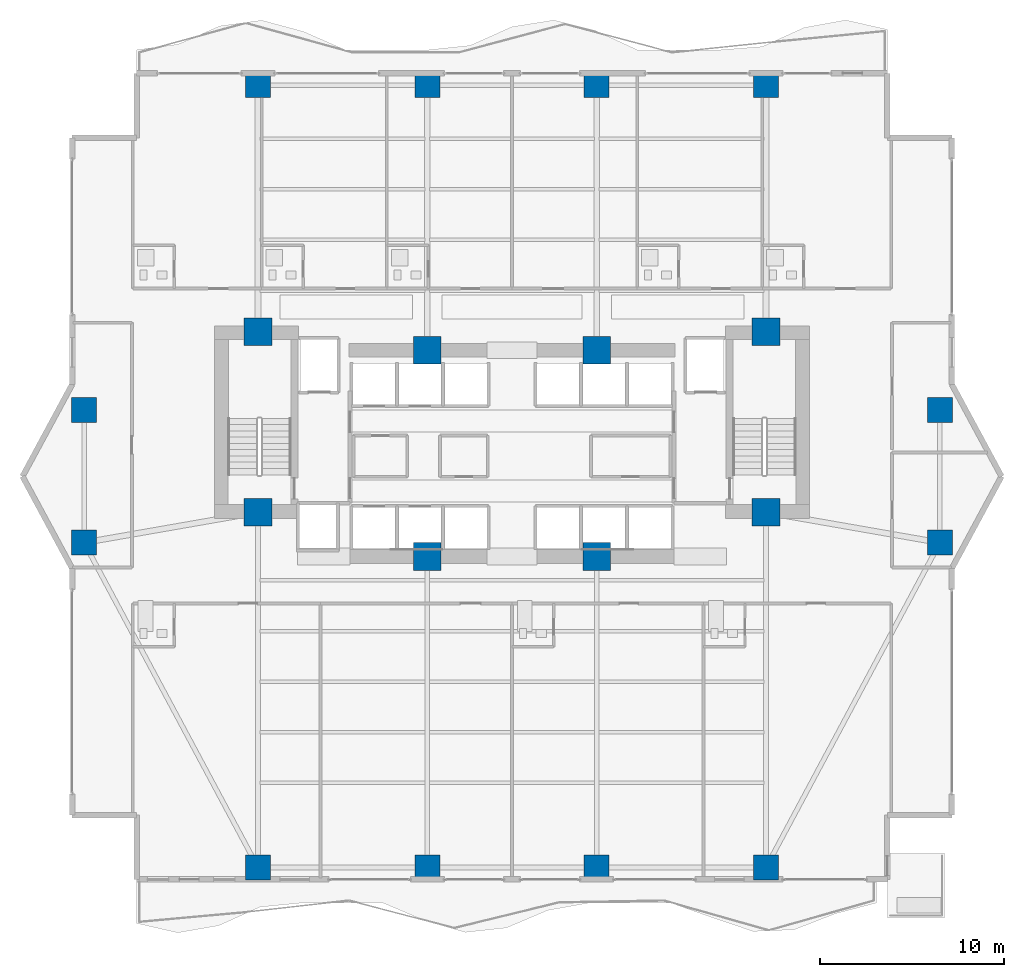
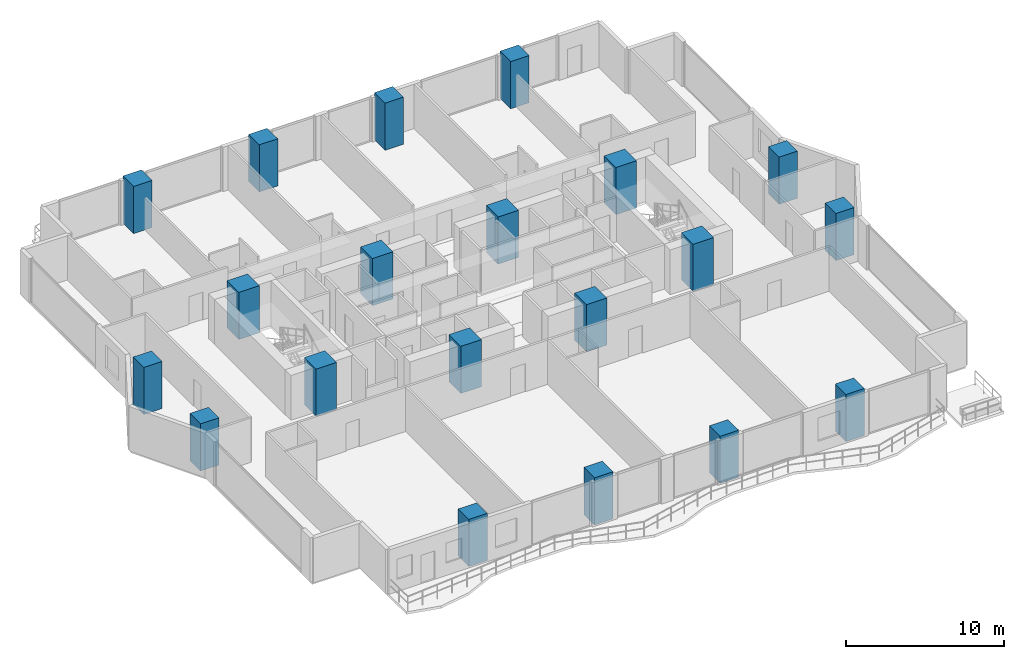
# One storey, part 1 of 29: 20 columns.
"""IFC4 building model written with IfcOpenShell, lengths in metres."""

import ifcopenshell
import ifcopenshell.guid

model = None  # the IFC model being written
_history = None  # IfcOwnerHistory: only IFC2X3 demands one
_inside = {}  # id of a spatial element -> (the spatial element, [elements in it])
_under = {}  # id of a project, library or spatial element -> (it, [spatial elements below it])
_declared = {}  # id of a project -> (the project, [libraries it declares])
_typed = {}  # id of a type object -> (the type object, [elements of that type])
_made_of = {}  # id of a material, layer set ... -> (it, [elements and type objects made of it])


def new_model(schema):
    """Start an empty IFC model of exactly this schema.

    Asked for "IFC4X3", IfcOpenShell would pick the latest addendum, in which some entities
    have other attributes; the version numbers below select the first issue.
    IFC2X3 requires an IfcOwnerHistory on every rooted entity: one is made here for all.
    """
    global model, _history
    if schema == "IFC4X3":
        model = ifcopenshell.file(schema_version=(4, 3, 0, 0))
    else:
        model = ifcopenshell.file(schema=schema)
    _inside.clear()
    _under.clear()
    _declared.clear()
    _typed.clear()
    _made_of.clear()
    _history = None
    if model.schema == "IFC2X3":
        org = make("IfcOrganization", Name="unknown")
        user = make(
            "IfcPersonAndOrganization",
            ThePerson=make("IfcPerson", FamilyName="unknown"),
            TheOrganization=org,
        )
        app = make(
            "IfcApplication",
            ApplicationDeveloper=org,
            Version="unknown",
            ApplicationFullName="unknown",
            ApplicationIdentifier="unknown",
        )
        _history = make(
            "IfcOwnerHistory",
            OwningUser=user,
            OwningApplication=app,
            ChangeAction="ADDED",
            CreationDate=0,
        )
    return model


def make(cls, **values):
    """One entity of the class cls with the attributes given. An attribute that is None is left unset."""
    return model.create_entity(
        cls, **{name: value for name, value in values.items() if value is not None}
    )


def rooted(cls, **values):
    """An entity with a GlobalId (a new one), such as an element, a storey or a relation."""
    return make(cls, GlobalId=ifcopenshell.guid.new(), OwnerHistory=_history, **values)


def si_unit(unit_type, name, prefix=None):
    """IfcSIUnit, for example si_unit("LENGTHUNIT", "METRE", prefix="MILLI")."""
    return make("IfcSIUnit", UnitType=unit_type, Prefix=prefix, Name=name)


def assignment(units):
    """IfcUnitAssignment: the units of a project."""
    return None if units is None else make("IfcUnitAssignment", Units=units)


def point(xyz):
    """IfcCartesianPoint."""
    return None if xyz is None else make("IfcCartesianPoint", Coordinates=xyz)


def direction(xyz):
    """IfcDirection."""
    return None if xyz is None else make("IfcDirection", DirectionRatios=xyz)


def frame(location, z_axis=None, x_axis=None):
    """IfcAxis2Placement3D, a coordinate frame: its origin and axes. An axis left out is left unset."""
    return make(
        "IfcAxis2Placement3D",
        Location=point(location),
        Axis=direction(z_axis),
        RefDirection=direction(x_axis),
    )


def frame_2d(location, x_axis=None):
    """IfcAxis2Placement2D, a coordinate frame in the plane: its origin and x axis."""
    return make(
        "IfcAxis2Placement2D", Location=point(location), RefDirection=direction(x_axis)
    )


def origin():
    """The frame at (0, 0, 0) with its axes left unset."""
    return frame((0.0, 0.0, 0.0))


def origin_2d():
    """The frame at (0, 0) in the plane with its x axis left unset."""
    return frame_2d((0.0, 0.0))


def place(relative_to, where):
    """IfcLocalPlacement: puts the frame where relative to a parent placement (None: the world)."""
    return make(
        "IfcLocalPlacement", PlacementRelTo=relative_to, RelativePlacement=where
    )


def context(
    kind, dimensions, precision=None, world=None, true_north=None, identifier=None
):
    """IfcGeometricRepresentationContext, for example the 3D "Model" context."""
    return make(
        "IfcGeometricRepresentationContext",
        ContextIdentifier=identifier,
        ContextType=kind,
        CoordinateSpaceDimension=dimensions,
        Precision=precision,
        WorldCoordinateSystem=world,
        TrueNorth=true_north,
    )


def subcontext(parent, identifier, kind, view, scale=None):
    """IfcGeometricRepresentationSubContext, for example "Body" below "Model"."""
    return make(
        "IfcGeometricRepresentationSubContext",
        ContextIdentifier=identifier,
        ContextType=kind,
        ParentContext=parent,
        TargetScale=scale,
        TargetView=view,
    )


def project(units=None, contexts=None):
    """IfcProject with its units and contexts."""
    return rooted(
        "IfcProject",
        Name="project",
        RepresentationContexts=contexts,
        UnitsInContext=assignment(units),
    )


def spatial(cls, under=None, at=None, **own):
    """A site, building, storey or space (cls), placed at a placement, below another one or the project."""
    s = rooted(cls, ObjectPlacement=at, **own)
    if under is not None:
        _under.setdefault(under.id(), (under, []))[1].append(s)
    return s


def profile(cls, at=None, kind="AREA", **sizes):
    """A parametric profile (cls). Its sizes go by their IFC names, for example OverallWidth=200.0."""
    return make(cls, ProfileType=kind, Position=at, **sizes)


def rectangle(**sizes):
    """IfcRectangleProfileDef."""
    return profile("IfcRectangleProfileDef", **sizes)


def extrude(swept, where, along, depth):
    """IfcExtrudedAreaSolid: the profile swept, set in the frame where, extruded along a direction by depth."""
    return make(
        "IfcExtrudedAreaSolid",
        SweptArea=swept,
        Position=where,
        ExtrudedDirection=direction(along),
        Depth=depth,
    )


def shape(context_of_items, identifier, shape_type, items):
    """IfcShapeRepresentation: the items that make up one representation, for example the "Body"."""
    return make(
        "IfcShapeRepresentation",
        ContextOfItems=context_of_items,
        RepresentationIdentifier=identifier,
        RepresentationType=shape_type,
        Items=items,
    )


def material(Name=None, Category=None):
    """IfcMaterial."""
    return make("IfcMaterial", Name=Name, Category=Category)


def material_profile(
    of_material, cross_section, Name=None, Category=None, Priority=None
):
    """IfcMaterialProfile: a cross section and its material."""
    return make(
        "IfcMaterialProfile",
        Name=Name,
        Material=of_material,
        Profile=cross_section,
        Priority=Priority,
        Category=Category,
    )


def profile_set(profiles, Name=None, composite=None):
    """IfcMaterialProfileSet."""
    return make(
        "IfcMaterialProfileSet",
        Name=Name,
        MaterialProfiles=profiles,
        CompositeProfile=composite,
    )


def made_of(thing, what):
    """Note that an element or type object is made of a material, layer set ...; save() writes the relation."""
    if what is not None:
        _made_of.setdefault(what.id(), (what, []))[1].append(thing)
    return thing


def type_object(cls, material=None, **own):
    """A type object (cls), such as IfcWallType, which elements share."""
    return made_of(rooted(cls, **own), material)


def element(
    cls,
    number,
    at=None,
    inside=None,
    cuts=None,
    type_object=None,
    material=None,
    context=None,
    identifier="Body",
    shape_type=None,
    held_by="IfcProductDefinitionShape",
    body=None,
    shapes=None,
    **own,
):
    """One element of the class cls, such as IfcWall. Its Tag is "e" and its number.

    at: its placement. inside: the storey or other place that contains it. cuts: it is an
    opening in that element (IfcRelVoidsElement). A single representation is given by context,
    identifier, shape_type and body (its items); several are given by shapes. held_by: the class
    of the entity that holds the representations. save() writes the other relations.
    """
    e = rooted(cls, Tag="e%d" % number, ObjectPlacement=at, **own)
    if body is not None:
        shapes = [shape(context, identifier, shape_type, body)]
    if shapes is not None:
        e.Representation = make(held_by, Representations=shapes)
    if inside is not None:
        _inside.setdefault(inside.id(), (inside, []))[1].append(e)
    if cuts is not None:
        rooted(
            "IfcRelVoidsElement", RelatingBuildingElement=cuts, RelatedOpeningElement=e
        )
    if type_object is not None:
        _typed.setdefault(type_object.id(), (type_object, []))[1].append(e)
    return made_of(e, material)


def aggregate(whole, parts):
    """IfcRelAggregates: a whole, such as a stair, and the parts it consists of."""
    return rooted("IfcRelAggregates", RelatingObject=whole, RelatedObjects=parts)


def save(model, path):
    """Write the relations noted so far, then the file.

    IfcRelAggregates (storeys below a building ...), IfcRelContainedInSpatialStructure (elements
    in a storey), IfcRelDefinesByType, IfcRelAssociatesMaterial and IfcRelDeclares: one each for
    every whole, place, type object, material and project.
    """
    for whole, parts in _under.values():
        aggregate(whole, parts)
    for where, things in _inside.values():
        rooted(
            "IfcRelContainedInSpatialStructure",
            RelatedElements=things,
            RelatingStructure=where,
        )
    for kind, things in _typed.values():
        rooted("IfcRelDefinesByType", RelatedObjects=things, RelatingType=kind)
    for what, things in _made_of.values():
        rooted("IfcRelAssociatesMaterial", RelatedObjects=things, RelatingMaterial=what)
    for by, libraries in _declared.values():
        rooted("IfcRelDeclares", RelatingContext=by, RelatedDefinitions=libraries)
    model.write(path)


model = new_model("IFC4")

# Units and contexts
model_context = context("Model", 3, precision=1e-05, world=origin(), true_north=direction((0.0, 1.0)))
body_context = subcontext(model_context, "Body", "Model", "MODEL_VIEW")
ifc_project = project(units=[si_unit("LENGTHUNIT", "METRE"), si_unit("AREAUNIT", "SQUARE_METRE"), si_unit("VOLUMEUNIT", "CUBIC_METRE"), si_unit("PLANEANGLEUNIT", "RADIAN"), si_unit("MASSUNIT", "GRAM", prefix="KILO")], contexts=[model_context])

# Site, building, storey
site_placement = place(None, origin())
site = spatial("IfcSite", under=ifc_project, at=site_placement, CompositionType="ELEMENT")
building_placement = place(site_placement, origin())
building = spatial("IfcBuilding", under=site, at=building_placement, Name="Zuhayl Quay Hotel", CompositionType="ELEMENT")
storey_placement = place(building_placement, frame((0.0, 0.0, 132.14990234375)))
storey = spatial("IfcBuildingStorey", under=building, at=storey_placement, Name="L33", CompositionType="ELEMENT", Elevation=132.14990234375)

# Columns
ifc_material = material(Name="Concrete C70/85", Category="concrete")
ifc_material_profile_1 = material_profile(ifc_material, rectangle(XDim=1.5, YDim=1.5, at=origin_2d()), Name="RC1500X1500")
ifc_profile_set_1 = profile_set([ifc_material_profile_1], Name="Concrete C70/85")
column_type_1 = type_object("IfcColumnType", Name="CL_CC1_1500", PredefinedType="COLUMN", material=ifc_profile_set_1)
for number, where, z_axis, x_axis, name in (
    (1, (-13.800048828125, 14.35009765625, 0.0), (0.0, 0.0, 1.0), (1.0, 0.0, 0.0), "L33 Core Column CC_NW"),
    (2, (-4.60009765625, 13.35009765625, 0.0), (0.0, 0.0, 1.0), (1.0, 0.0, 0.0), "L33 Core Column CC_CNW"),
    (3, (4.60009765625, 13.35009765625, 0.0), (0.0, 0.0, 1.0), (1.0, 0.0, 0.0), "L33 Core Column CC_CNE"),
    (4, (13.800048828125, 14.35009765625, 0.0), (0.0, 0.0, 1.0), (1.0, 0.0, 0.0), "L33 Core Column CC_NE"),
    (5, (-13.800048828125, 4.550048828125, 0.0), (0.0, 0.0, 1.0), (1.0, 0.0, 0.0), "L33 Core Column CC_SW"),
    (6, (-4.60009765625, 2.14990234375, 0.0), (0.0, 0.0, 1.0), (1.0, 0.0, 0.0), "L33 Core Column CC_CSW"),
    (7, (4.60009765625, 2.14990234375, 0.0), (0.0, 0.0, 1.0), (1.0, 0.0, 0.0), "L33 Core Column CC_CSE"),
    (8, (13.800048828125, 4.550048828125, 0.0), (0.0, 0.0, 1.0), (1.0, 0.0, 0.0), "L33 Core Column CC_SE"),
):
    element("IfcColumn", number, at=place(storey_placement, frame(where, z_axis=z_axis, x_axis=x_axis)), inside=storey, type_object=column_type_1, Name=name, PredefinedType="COLUMN", context=body_context, shape_type="SweptSolid", body=[
        extrude(rectangle(XDim=1.5, YDim=1.5, at=origin_2d()), origin(), (0.0, 0.0, 1.0), 3.650146484375),
    ])
ifc_material_profile_2 = material_profile(ifc_material, rectangle(XDim=1.35009765625, YDim=1.35009765625, at=origin_2d()), Name="RC1350X1350")
ifc_profile_set_2 = profile_set([ifc_material_profile_2], Name="Concrete C70/85")
column_type_2 = type_object("IfcColumnType", Name="CL_MC2_1350", PredefinedType="COLUMN", material=ifc_profile_set_2)
for number, where, z_axis, x_axis, name in (
    (9, (-13.800048828125, -14.75, 0.0), (0.0, 0.0, 1.0), (1.0, 0.0, 0.0), "L33 Mega-Column MC_S1"),
    (10, (-4.60009765625, -14.75, 0.0), (0.0, 0.0, 1.0), (1.0, 0.0, 0.0), "L33 Mega-Column MC_S2"),
    (11, (4.60009765625, -14.75, 0.0), (0.0, 0.0, 1.0), (1.0, 0.0, 0.0), "L33 Mega-Column MC_S3"),
    (12, (13.800048828125, -14.75, 0.0), (0.0, 0.0, 1.0), (1.0, 0.0, 0.0), "L33 Mega-Column MC_S4"),
    (13, (-13.800048828125, 27.75, 0.0), (0.0, 0.0, 1.0), (1.0, 0.0, 0.0), "L33 Mega-Column MC_N1"),
    (14, (-4.60009765625, 27.75, 0.0), (0.0, 0.0, 1.0), (1.0, 0.0, 0.0), "L33 Mega-Column MC_N2"),
    (15, (4.60009765625, 27.75, 0.0), (0.0, 0.0, 1.0), (1.0, 0.0, 0.0), "L33 Mega-Column MC_N3"),
    (16, (13.800048828125, 27.75, 0.0), (0.0, 0.0, 1.0), (1.0, 0.0, 0.0), "L33 Mega-Column MC_N4"),
    (17, (-23.25, 2.89990234375, 0.0), (0.0, 0.0, 1.0), (1.0, 0.0, 0.0), "L33 Mega-Column MC_W1"),
    (18, (-23.25, 10.10009765625, 0.0), (0.0, 0.0, 1.0), (1.0, 0.0, 0.0), "L33 Mega-Column MC_W2"),
    (19, (23.25, 2.89990234375, 0.0), (0.0, 0.0, 1.0), (1.0, 0.0, 0.0), "L33 Mega-Column MC_E1"),
    (20, (23.25, 10.10009765625, 0.0), (0.0, 0.0, 1.0), (1.0, 0.0, 0.0), "L33 Mega-Column MC_E2"),
):
    element("IfcColumn", number, at=place(storey_placement, frame(where, z_axis=z_axis, x_axis=x_axis)), inside=storey, type_object=column_type_2, Name=name, PredefinedType="COLUMN", context=body_context, shape_type="SweptSolid", body=[
        extrude(rectangle(XDim=1.35009765625, YDim=1.35009765625, at=origin_2d()), origin(), (0.0, 0.0, 1.0), 3.650146484375),
    ])

save(model, "model.ifc")
